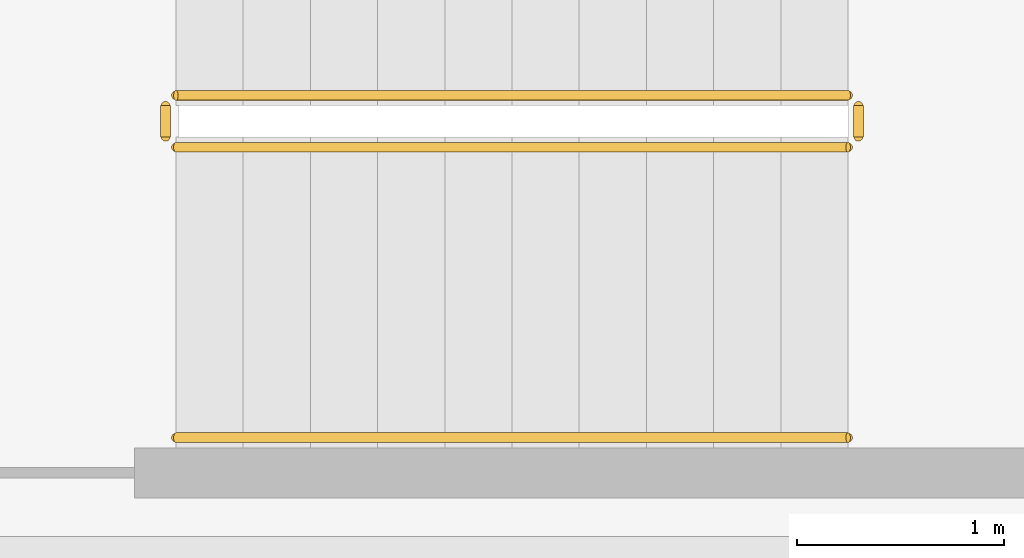
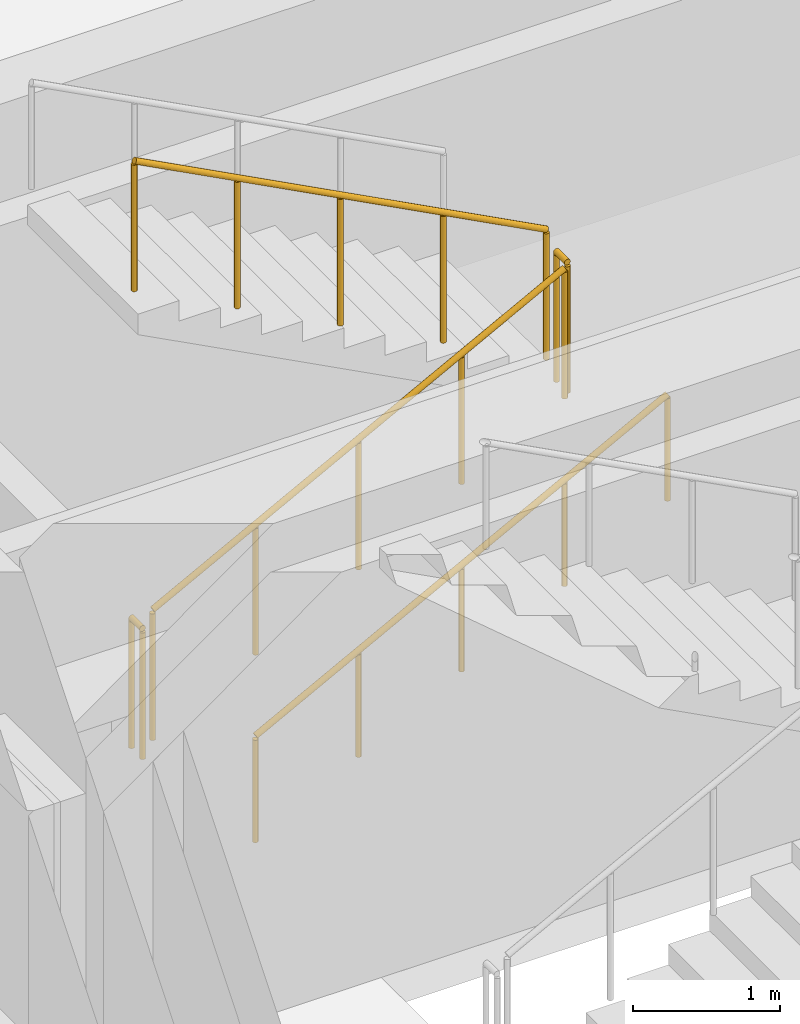
# One storey, part 14 of 15: 5 railings.
"""IFC4 building model written with IfcOpenShell, lengths in metres."""

from ifc_helpers import new_model, si_unit, direction, frame, origin, origin_2d, place, context, subcontext, project, spatial, circle, extrude, material, type_object, element, save


model = new_model("IFC4")

# Units and contexts
model_context = context("Model", 3, precision=1e-05, world=origin(), true_north=direction((0.0, 1.0)))
body_context = subcontext(model_context, "Body", "Model", "MODEL_VIEW")
ifc_project = project(units=[si_unit("LENGTHUNIT", "METRE"), si_unit("AREAUNIT", "SQUARE_METRE"), si_unit("VOLUMEUNIT", "CUBIC_METRE"), si_unit("PLANEANGLEUNIT", "RADIAN"), si_unit("MASSUNIT", "GRAM", prefix="KILO")], contexts=[model_context])

# Site, building, storey
site_placement = place(None, origin())
site = spatial("IfcSite", under=ifc_project, at=site_placement, CompositionType="ELEMENT")
building_placement = place(site_placement, origin())
building = spatial("IfcBuilding", under=site, at=building_placement, Name="Kolvaren Arena Tower", CompositionType="ELEMENT")
storey_placement = place(building_placement, frame((0.0, 0.0, 293.64990234375)))
storey = spatial("IfcBuildingStorey", under=building, at=storey_placement, Name="L72", CompositionType="ELEMENT", Elevation=293.64990234375)

# Railings
ifc_material_1 = material(Name="Painted galvanized steel", Category="steel")
railing_type_1 = type_object("IfcRailingType", Name="GUARD-ST-110", PredefinedType="GUARDRAIL", material=ifc_material_1)
railing_1_placement = place(storey_placement, frame((52.679931640625, 36.39990234375, 0.170654296875)))
element("IfcRailing", 1, at=railing_1_placement, inside=storey, type_object=railing_type_1, Name="L72 ST-E2 stair guard 1", PredefinedType="GUARDRAIL", context=body_context, shape_type="SweptSolid", body=[
    extrude(circle(Radius=0.02392578125, at=origin_2d()), frame((0.0, 0.0, 1.076171875), z_axis=(0.885020909582, 0.0, 0.465551274945), x_axis=(0.0, 1.0, 0.0)), (0.0, 0.0, 1.0), 3.660888671875),
    extrude(circle(Radius=0.02099609375, at=origin_2d()), origin(), (0.0, 0.0, 1.0), 1.052001953125),
    extrude(circle(Radius=0.02099609375, at=origin_2d()), frame((0.81005859375, 0.0, 0.426025390625)), (0.0, 0.0, 1.0), 1.052001953125),
    extrude(circle(Radius=0.02099609375, at=origin_2d()), frame((1.6201171875, 0.0, 0.85205078125)), (0.0, 0.0, 1.0), 1.052001953125),
    extrude(circle(Radius=0.02099609375, at=origin_2d()), frame((2.429931640625, 0.0, 1.2783203125)), (0.0, 0.0, 1.0), 1.052001953125),
    extrude(circle(Radius=0.02099609375, at=origin_2d()), frame((3.239990234375, 0.0, 1.704345703125)), (0.0, 0.0, 1.0), 1.052001953125),
])
railing_2_placement = place(storey_placement, frame((55.969970703125, 36.449951171875, 1.875)))
element("IfcRailing", 2, at=railing_2_placement, inside=storey, type_object=railing_type_1, Name="L72 ST-E2 stair guard 2", PredefinedType="GUARDRAIL", context=body_context, shape_type="SweptSolid", body=[
    extrude(circle(Radius=0.02392578125, at=origin_2d()), frame((0.0, 0.0, 1.076171875), z_axis=(0.0, 1.0, 0.0), x_axis=(-1.0, 0.0, 0.0)), (0.0, 0.0, 1.0), 0.150146484375),
    extrude(circle(Radius=0.02099609375, at=origin_2d()), origin(), (0.0, 0.0, 1.0), 1.052001953125),
    extrude(circle(Radius=0.02099609375, at=origin_2d()), frame((0.0, 0.150146484375, 0.0)), (0.0, 0.0, 1.0), 1.052001953125),
])
railing_3_placement = place(storey_placement, frame((55.919921875, 36.64990234375, 2.045654296875)))
element("IfcRailing", 3, at=railing_3_placement, inside=storey, type_object=railing_type_1, Name="L72 ST-E2 stair guard 3", PredefinedType="GUARDRAIL", context=body_context, shape_type="SweptSolid", body=[
    extrude(circle(Radius=0.02392578125, at=origin_2d()), frame((0.0, 0.0, 1.076171875), z_axis=(-0.885020909582, 0.0, 0.465551274945), x_axis=(0.0, -1.0, 0.0)), (0.0, 0.0, 1.0), 3.660888671875),
    extrude(circle(Radius=0.02099609375, at=origin_2d()), origin(), (0.0, 0.0, 1.0), 1.052001953125),
    extrude(circle(Radius=0.02099609375, at=origin_2d()), frame((-0.81005859375, 0.0, 0.426025390625)), (0.0, 0.0, 1.0), 1.052001953125),
    extrude(circle(Radius=0.02099609375, at=origin_2d()), frame((-1.6201171875, 0.0, 0.85205078125)), (0.0, 0.0, 1.0), 1.052001953125),
    extrude(circle(Radius=0.02099609375, at=origin_2d()), frame((-2.429931640625, 0.0, 1.2783203125)), (0.0, 0.0, 1.0), 1.052001953125),
    extrude(circle(Radius=0.02099609375, at=origin_2d()), frame((-3.239990234375, 0.0, 1.704345703125)), (0.0, 0.0, 1.0), 1.052001953125),
])
railing_4_placement = place(storey_placement, frame((52.6298828125, 36.449951171875, 0.0)))
element("IfcRailing", 4, at=railing_4_placement, inside=storey, type_object=railing_type_1, Name="L72 ST-E2 stair guard 4", PredefinedType="GUARDRAIL", context=body_context, shape_type="SweptSolid", body=[
    extrude(circle(Radius=0.02392578125, at=origin_2d()), frame((0.0, 0.0, 1.076171875), z_axis=(0.0, 1.0, 0.0), x_axis=(-1.0, 0.0, 0.0)), (0.0, 0.0, 1.0), 0.150146484375),
    extrude(circle(Radius=0.02099609375, at=origin_2d()), origin(), (0.0, 0.0, 1.0), 1.052001953125),
    extrude(circle(Radius=0.02099609375, at=origin_2d()), frame((0.0, 0.150146484375, 0.0)), (0.0, 0.0, 1.0), 1.052001953125),
])
ifc_material_2 = material(Name="Brushed stainless steel handrail", Category="steel")
railing_type_2 = type_object("IfcRailingType", Name="HRAIL-900", PredefinedType="HANDRAIL", material=ifc_material_2)
railing_5_placement = place(storey_placement, frame((52.679931640625, 35.0, 0.170654296875)))
element("IfcRailing", 5, at=railing_5_placement, inside=storey, type_object=railing_type_2, Name="L72 ST-E2 stair handrail 1", PredefinedType="HANDRAIL", context=body_context, shape_type="SweptSolid", body=[
    extrude(circle(Radius=0.02392578125, at=origin_2d()), frame((0.0, 0.0, 0.8759765625), z_axis=(0.885020909582, 0.0, 0.465551274945), x_axis=(0.0, 1.0, 0.0)), (0.0, 0.0, 1.0), 3.660888671875),
    extrude(circle(Radius=0.02099609375, at=origin_2d()), origin(), (0.0, 0.0, 1.0), 0.851806640625),
    extrude(circle(Radius=0.02099609375, at=origin_2d()), frame((0.81005859375, 0.0, 0.426025390625)), (0.0, 0.0, 1.0), 0.851806640625),
    extrude(circle(Radius=0.02099609375, at=origin_2d()), frame((1.6201171875, 0.0, 0.85205078125)), (0.0, 0.0, 1.0), 0.851806640625),
    extrude(circle(Radius=0.02099609375, at=origin_2d()), frame((2.429931640625, 0.0, 1.2783203125)), (0.0, 0.0, 1.0), 0.851806640625),
    extrude(circle(Radius=0.02099609375, at=origin_2d()), frame((3.239990234375, 0.0, 1.704345703125)), (0.0, 0.0, 1.0), 0.851806640625),
])

save(model, "model.ifc")
